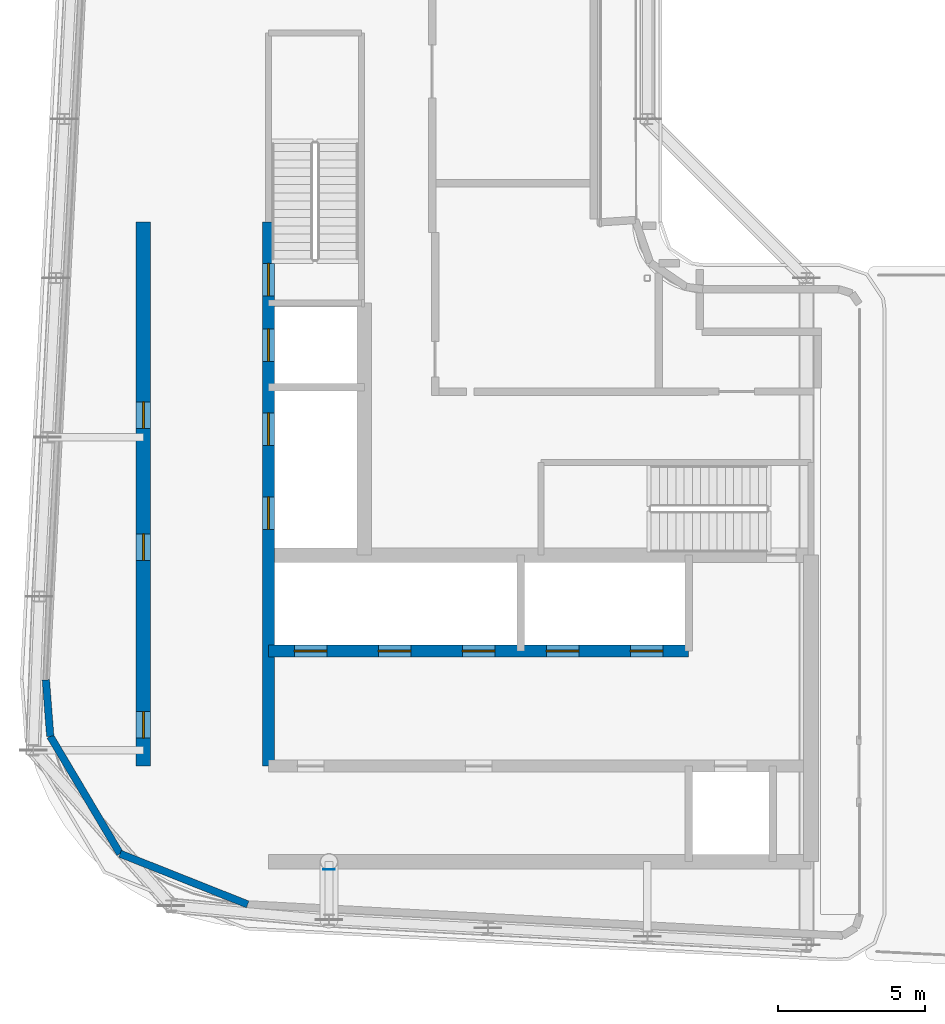
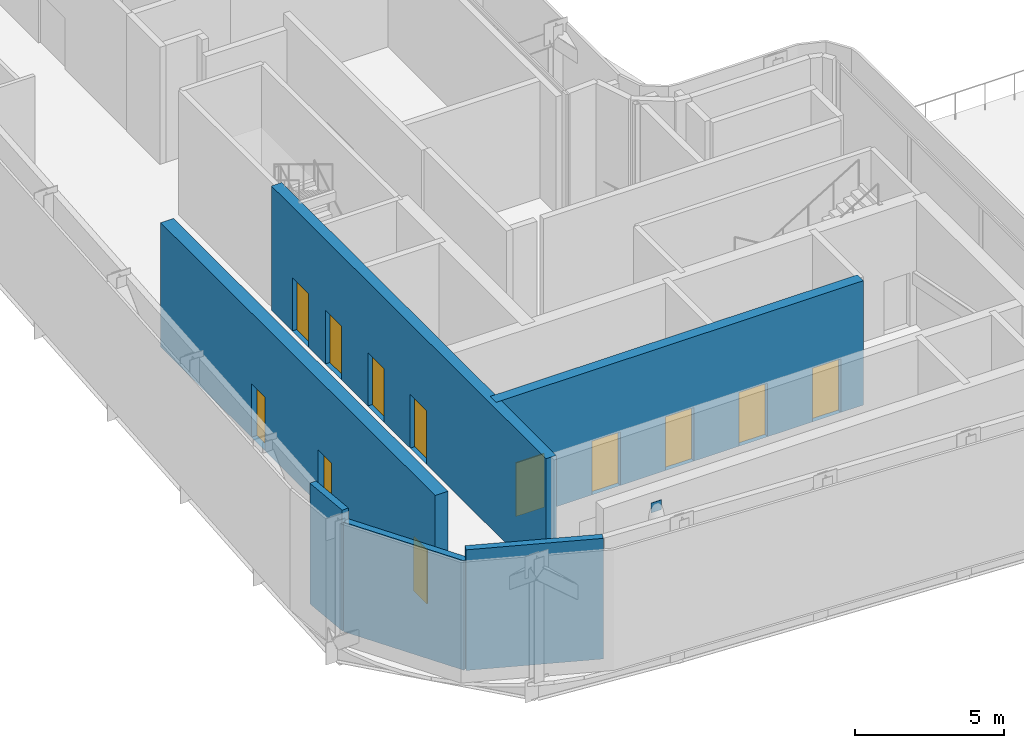
# One storey, part 10 of 18: 12 doors, 6 walls, 1 plate, 12 openings.
"""IFC4 building model written with IfcOpenShell, lengths in metres."""

import ifcopenshell
import ifcopenshell.guid

model = None  # the IFC model being written
_history = None  # IfcOwnerHistory: only IFC2X3 demands one
_inside = {}  # id of a spatial element -> (the spatial element, [elements in it])
_under = {}  # id of a project, library or spatial element -> (it, [spatial elements below it])
_declared = {}  # id of a project -> (the project, [libraries it declares])
_typed = {}  # id of a type object -> (the type object, [elements of that type])
_made_of = {}  # id of a material, layer set ... -> (it, [elements and type objects made of it])


def new_model(schema):
    """Start an empty IFC model of exactly this schema.

    Asked for "IFC4X3", IfcOpenShell would pick the latest addendum, in which some entities
    have other attributes; the version numbers below select the first issue.
    IFC2X3 requires an IfcOwnerHistory on every rooted entity: one is made here for all.
    """
    global model, _history
    if schema == "IFC4X3":
        model = ifcopenshell.file(schema_version=(4, 3, 0, 0))
    else:
        model = ifcopenshell.file(schema=schema)
    _inside.clear()
    _under.clear()
    _declared.clear()
    _typed.clear()
    _made_of.clear()
    _history = None
    if model.schema == "IFC2X3":
        org = make("IfcOrganization", Name="unknown")
        user = make(
            "IfcPersonAndOrganization",
            ThePerson=make("IfcPerson", FamilyName="unknown"),
            TheOrganization=org,
        )
        app = make(
            "IfcApplication",
            ApplicationDeveloper=org,
            Version="unknown",
            ApplicationFullName="unknown",
            ApplicationIdentifier="unknown",
        )
        _history = make(
            "IfcOwnerHistory",
            OwningUser=user,
            OwningApplication=app,
            ChangeAction="ADDED",
            CreationDate=0,
        )
    return model


def make(cls, **values):
    """One entity of the class cls with the attributes given. An attribute that is None is left unset."""
    return model.create_entity(
        cls, **{name: value for name, value in values.items() if value is not None}
    )


def rooted(cls, **values):
    """An entity with a GlobalId (a new one), such as an element, a storey or a relation."""
    return make(cls, GlobalId=ifcopenshell.guid.new(), OwnerHistory=_history, **values)


def si_unit(unit_type, name, prefix=None):
    """IfcSIUnit, for example si_unit("LENGTHUNIT", "METRE", prefix="MILLI")."""
    return make("IfcSIUnit", UnitType=unit_type, Prefix=prefix, Name=name)


def assignment(units):
    """IfcUnitAssignment: the units of a project."""
    return None if units is None else make("IfcUnitAssignment", Units=units)


def point(xyz):
    """IfcCartesianPoint."""
    return None if xyz is None else make("IfcCartesianPoint", Coordinates=xyz)


def direction(xyz):
    """IfcDirection."""
    return None if xyz is None else make("IfcDirection", DirectionRatios=xyz)


def frame(location, z_axis=None, x_axis=None):
    """IfcAxis2Placement3D, a coordinate frame: its origin and axes. An axis left out is left unset."""
    return make(
        "IfcAxis2Placement3D",
        Location=point(location),
        Axis=direction(z_axis),
        RefDirection=direction(x_axis),
    )


def frame_2d(location, x_axis=None):
    """IfcAxis2Placement2D, a coordinate frame in the plane: its origin and x axis."""
    return make(
        "IfcAxis2Placement2D", Location=point(location), RefDirection=direction(x_axis)
    )


def origin():
    """The frame at (0, 0, 0) with its axes left unset."""
    return frame((0.0, 0.0, 0.0))


def origin_2d():
    """The frame at (0, 0) in the plane with its x axis left unset."""
    return frame_2d((0.0, 0.0))


def place(relative_to, where):
    """IfcLocalPlacement: puts the frame where relative to a parent placement (None: the world)."""
    return make(
        "IfcLocalPlacement", PlacementRelTo=relative_to, RelativePlacement=where
    )


def context(
    kind, dimensions, precision=None, world=None, true_north=None, identifier=None
):
    """IfcGeometricRepresentationContext, for example the 3D "Model" context."""
    return make(
        "IfcGeometricRepresentationContext",
        ContextIdentifier=identifier,
        ContextType=kind,
        CoordinateSpaceDimension=dimensions,
        Precision=precision,
        WorldCoordinateSystem=world,
        TrueNorth=true_north,
    )


def subcontext(parent, identifier, kind, view, scale=None):
    """IfcGeometricRepresentationSubContext, for example "Body" below "Model"."""
    return make(
        "IfcGeometricRepresentationSubContext",
        ContextIdentifier=identifier,
        ContextType=kind,
        ParentContext=parent,
        TargetScale=scale,
        TargetView=view,
    )


def project(units=None, contexts=None):
    """IfcProject with its units and contexts."""
    return rooted(
        "IfcProject",
        Name="project",
        RepresentationContexts=contexts,
        UnitsInContext=assignment(units),
    )


def spatial(cls, under=None, at=None, **own):
    """A site, building, storey or space (cls), placed at a placement, below another one or the project."""
    s = rooted(cls, ObjectPlacement=at, **own)
    if under is not None:
        _under.setdefault(under.id(), (under, []))[1].append(s)
    return s


def profile(cls, at=None, kind="AREA", **sizes):
    """A parametric profile (cls). Its sizes go by their IFC names, for example OverallWidth=200.0."""
    return make(cls, ProfileType=kind, Position=at, **sizes)


def rectangle(**sizes):
    """IfcRectangleProfileDef."""
    return profile("IfcRectangleProfileDef", **sizes)


def extrude(swept, where, along, depth):
    """IfcExtrudedAreaSolid: the profile swept, set in the frame where, extruded along a direction by depth."""
    return make(
        "IfcExtrudedAreaSolid",
        SweptArea=swept,
        Position=where,
        ExtrudedDirection=direction(along),
        Depth=depth,
    )


def shape(context_of_items, identifier, shape_type, items):
    """IfcShapeRepresentation: the items that make up one representation, for example the "Body"."""
    return make(
        "IfcShapeRepresentation",
        ContextOfItems=context_of_items,
        RepresentationIdentifier=identifier,
        RepresentationType=shape_type,
        Items=items,
    )


def source(mapping_origin, context_of_items, identifier, shape_type, items):
    """IfcRepresentationMap: a shape defined once, which mapped items show again and again."""
    return make(
        "IfcRepresentationMap",
        MappingOrigin=mapping_origin,
        MappedRepresentation=shape(context_of_items, identifier, shape_type, items),
    )


def transform(
    local_origin,
    x_axis=None,
    y_axis=None,
    z_axis=None,
    scale=None,
    scale2=None,
    scale3=None,
    uniform=True,
):
    """IfcCartesianTransformationOperator3D, or its non-uniform kind. x_axis, y_axis, z_axis: its Axis1, 2, 3."""
    if uniform:
        return make(
            "IfcCartesianTransformationOperator3D",
            Axis1=direction(x_axis),
            Axis2=direction(y_axis),
            LocalOrigin=point(local_origin),
            Scale=scale,
            Axis3=direction(z_axis),
        )
    return make(
        "IfcCartesianTransformationOperator3DnonUniform",
        Axis1=direction(x_axis),
        Axis2=direction(y_axis),
        LocalOrigin=point(local_origin),
        Scale=scale,
        Axis3=direction(z_axis),
        Scale2=scale2,
        Scale3=scale3,
    )


def mapped(mapping_source, mapping_target):
    """IfcMappedItem: shows the shape of a source again, moved by a transform."""
    return make(
        "IfcMappedItem", MappingSource=mapping_source, MappingTarget=mapping_target
    )


def material(Name=None, Category=None):
    """IfcMaterial."""
    return make("IfcMaterial", Name=Name, Category=Category)


def layer(
    of_material, thickness, ventilated=None, Name=None, Category=None, Priority=None
):
    """IfcMaterialLayer: one layer of a wall or slab, of a material (None: an air gap)."""
    return make(
        "IfcMaterialLayer",
        Material=of_material,
        LayerThickness=thickness,
        IsVentilated=ventilated,
        Name=Name,
        Category=Category,
        Priority=Priority,
    )


def layer_set(layers, Name=None):
    """IfcMaterialLayerSet."""
    return make("IfcMaterialLayerSet", MaterialLayers=layers, LayerSetName=Name)


def made_of(thing, what):
    """Note that an element or type object is made of a material, layer set ...; save() writes the relation."""
    if what is not None:
        _made_of.setdefault(what.id(), (what, []))[1].append(thing)
    return thing


def type_object(cls, material=None, **own):
    """A type object (cls), such as IfcWallType, which elements share."""
    return made_of(rooted(cls, **own), material)


def element(
    cls,
    number,
    at=None,
    inside=None,
    cuts=None,
    type_object=None,
    material=None,
    context=None,
    identifier="Body",
    shape_type=None,
    held_by="IfcProductDefinitionShape",
    body=None,
    shapes=None,
    **own,
):
    """One element of the class cls, such as IfcWall. Its Tag is "e" and its number.

    at: its placement. inside: the storey or other place that contains it. cuts: it is an
    opening in that element (IfcRelVoidsElement). A single representation is given by context,
    identifier, shape_type and body (its items); several are given by shapes. held_by: the class
    of the entity that holds the representations. save() writes the other relations.
    """
    e = rooted(cls, Tag="e%d" % number, ObjectPlacement=at, **own)
    if body is not None:
        shapes = [shape(context, identifier, shape_type, body)]
    if shapes is not None:
        e.Representation = make(held_by, Representations=shapes)
    if inside is not None:
        _inside.setdefault(inside.id(), (inside, []))[1].append(e)
    if cuts is not None:
        rooted(
            "IfcRelVoidsElement", RelatingBuildingElement=cuts, RelatedOpeningElement=e
        )
    if type_object is not None:
        _typed.setdefault(type_object.id(), (type_object, []))[1].append(e)
    return made_of(e, material)


def fill(opening, filler):
    """IfcRelFillsElement: the door or window that sits in an opening."""
    return rooted(
        "IfcRelFillsElement",
        RelatingOpeningElement=opening,
        RelatedBuildingElement=filler,
    )


def aggregate(whole, parts):
    """IfcRelAggregates: a whole, such as a stair, and the parts it consists of."""
    return rooted("IfcRelAggregates", RelatingObject=whole, RelatedObjects=parts)


def save(model, path):
    """Write the relations noted so far, then the file.

    IfcRelAggregates (storeys below a building ...), IfcRelContainedInSpatialStructure (elements
    in a storey), IfcRelDefinesByType, IfcRelAssociatesMaterial and IfcRelDeclares: one each for
    every whole, place, type object, material and project.
    """
    for whole, parts in _under.values():
        aggregate(whole, parts)
    for where, things in _inside.values():
        rooted(
            "IfcRelContainedInSpatialStructure",
            RelatedElements=things,
            RelatingStructure=where,
        )
    for kind, things in _typed.values():
        rooted("IfcRelDefinesByType", RelatedObjects=things, RelatingType=kind)
    for what, things in _made_of.values():
        rooted("IfcRelAssociatesMaterial", RelatedObjects=things, RelatingMaterial=what)
    for by, libraries in _declared.values():
        rooted("IfcRelDeclares", RelatingContext=by, RelatedDefinitions=libraries)
    model.write(path)


model = new_model("IFC4")

# Units and contexts
model_context = context("Model", 3, precision=1e-05, world=origin(), true_north=direction((0.0, 1.0)))
body_context = subcontext(model_context, "Body", "Model", "MODEL_VIEW")
ifc_project = project(units=[si_unit("LENGTHUNIT", "METRE"), si_unit("AREAUNIT", "SQUARE_METRE"), si_unit("VOLUMEUNIT", "CUBIC_METRE"), si_unit("PLANEANGLEUNIT", "RADIAN"), si_unit("MASSUNIT", "GRAM", prefix="KILO")], contexts=[model_context])

# Site, building, storey
site_placement = place(None, origin())
site = spatial("IfcSite", under=ifc_project, at=site_placement, CompositionType="ELEMENT")
building_placement = place(site_placement, origin())
building = spatial("IfcBuilding", under=site, at=building_placement, Name="Kheshtan School and Residences Tower", CompositionType="ELEMENT")
storey_placement = place(building_placement, frame((0.0, 0.0, 333.199951171875)))
storey = spatial("IfcBuildingStorey", under=building, at=storey_placement, Name="L78", CompositionType="ELEMENT", Elevation=333.199951171875)

# Plate
ifc_material_1 = material(Name="Steel ASTM A992 Grade 50", Category="steel")
ifc_layer_1 = layer(ifc_material_1, 0.02001953125)
ifc_layer_set_1 = layer_set([ifc_layer_1], Name="Cast-in plate 20 ASTM A992 Grade 50")
plate_type = type_object("IfcPlateType", Name="Cast-in plate 20 ASTM A992 Grade 50", PredefinedType="SHEET", material=ifc_layer_set_1)
plate_placement = place(storey_placement, frame((36.800048828125, 25.5400390625, 4.293212890625), z_axis=(0.0, 0.0, 1.0), x_axis=(1.0, 0.0, 0.0)))
element("IfcPlate", 1, at=plate_placement, inside=storey, type_object=plate_type, Name="Cast-in plate", PredefinedType="SHEET", context=body_context, shape_type="SweptSolid", body=[
    extrude(rectangle(XDim=0.39990234375, YDim=0.02001953125, at=origin_2d()), origin(), (0.0, 0.0, 1.0), 0.39990234375),
])

# Wall, openings, doors
ifc_material_2 = material(Name="Concrete C50/60", Category="concrete")
ifc_layer_2 = layer(ifc_material_2, 0.39990234375)
ifc_layer_set_2 = layer_set([ifc_layer_2], Name="Core wall 400 Concrete C50/60")
wall_type_1 = type_object("IfcWallType", Name="Core wall 400 Concrete C50/60", PredefinedType="SHEAR", material=ifc_layer_set_2)
wall_1_placement = place(storey_placement, frame((34.75, 32.949951171875, 0.0), z_axis=(0.0, 0.0, 1.0), x_axis=(1.0, 0.0, 0.0)))
wall_1 = element("IfcWall", 2, at=wall_1_placement, inside=storey, type_object=wall_type_1, Name="Core wall CW-HALL-S2", PredefinedType="SHEAR", context=body_context, shape_type="SweptSolid", body=[
    extrude(rectangle(XDim=14.25, YDim=0.39990234375, at=frame_2d((7.125, 0.0))), origin(), (0.0, 0.0, 1.0), 5.10009765625),
])
opening_1_placement = place(wall_1_placement, frame((0.875, 0.0, 0.0)))
opening_1 = element("IfcOpeningElement", 3, at=opening_1_placement, cuts=wall_1, Name="Opening LD", PredefinedType="OPENING", context=body_context, shape_type="SweptSolid", body=[
    extrude(rectangle(XDim=1.10009765625, YDim=2.199951171875, at=frame_2d((0.550048828125, 1.10009765625))), frame((0.0, 0.2099609375, 0.0), z_axis=(0.0, -1.0, 0.0), x_axis=(1.0, 0.0, 0.0)), (0.0, 0.0, 1.0), 0.419921875),
])
opening_2_placement = place(wall_1_placement, frame((3.72509765625, 0.0, 0.0)))
opening_2 = element("IfcOpeningElement", 4, at=opening_2_placement, cuts=wall_1, Name="Opening LD", PredefinedType="OPENING", context=body_context, shape_type="SweptSolid", body=[
    extrude(rectangle(XDim=1.10009765625, YDim=2.199951171875, at=frame_2d((0.550048828125, 1.10009765625))), frame((0.0, 0.2099609375, 0.0), z_axis=(0.0, -1.0, 0.0), x_axis=(1.0, 0.0, 0.0)), (0.0, 0.0, 1.0), 0.419921875),
])
opening_3_placement = place(wall_1_placement, frame((6.574951171875, 0.0, 0.0)))
opening_3 = element("IfcOpeningElement", 5, at=opening_3_placement, cuts=wall_1, Name="Opening LD", PredefinedType="OPENING", context=body_context, shape_type="SweptSolid", body=[
    extrude(rectangle(XDim=1.10009765625, YDim=2.199951171875, at=frame_2d((0.550048828125, 1.10009765625))), frame((0.0, 0.2099609375, 0.0), z_axis=(0.0, -1.0, 0.0), x_axis=(1.0, 0.0, 0.0)), (0.0, 0.0, 1.0), 0.419921875),
])
opening_4_placement = place(wall_1_placement, frame((9.425048828125, 0.0, 0.0)))
opening_4 = element("IfcOpeningElement", 6, at=opening_4_placement, cuts=wall_1, Name="Opening LD", PredefinedType="OPENING", context=body_context, shape_type="SweptSolid", body=[
    extrude(rectangle(XDim=1.10009765625, YDim=2.199951171875, at=frame_2d((0.550048828125, 1.10009765625))), frame((0.0, 0.2099609375, 0.0), z_axis=(0.0, -1.0, 0.0), x_axis=(1.0, 0.0, 0.0)), (0.0, 0.0, 1.0), 0.419921875),
])
opening_5_placement = place(wall_1_placement, frame((12.27490234375, 0.0, 0.0)))
opening_5 = element("IfcOpeningElement", 7, at=opening_5_placement, cuts=wall_1, Name="Opening LD", PredefinedType="OPENING", context=body_context, shape_type="SweptSolid", body=[
    extrude(rectangle(XDim=1.10009765625, YDim=2.199951171875, at=frame_2d((0.550048828125, 1.10009765625))), frame((0.0, 0.2099609375, 0.0), z_axis=(0.0, -1.0, 0.0), x_axis=(1.0, 0.0, 0.0)), (0.0, 0.0, 1.0), 0.419921875),
])
ifc_material_3 = material(Name="Stainless steel door leaves", Category="steel")
door_type_1 = type_object("IfcDoorType", Name="Lift landing door 1100", OperationType="SLIDING_TO_LEFT", PredefinedType="DOOR", material=ifc_material_3)
shared_shape_1 = source(origin(), body_context, "Body", "SweptSolid", [
    extrude(rectangle(XDim=1.10009765625, YDim=2.199951171875, at=frame_2d((0.550048828125, 1.10009765625))), frame((0.0, 0.02490234375, 0.0), z_axis=(0.0, -1.0, 0.0), x_axis=(1.0, 0.0, 0.0)), (0.0, 0.0, 1.0), 0.050048828125),
])
door_1_placement = place(opening_1_placement, origin())
door_1 = element("IfcDoor", 8, at=door_1_placement, inside=storey, type_object=door_type_1, Name="Lift P12 landing door", OperationType="SLIDING_TO_LEFT", OverallHeight=2.199951171875, OverallWidth=1.10009765625, PredefinedType="DOOR", context=body_context, shape_type="MappedRepresentation", body=[
    mapped(shared_shape_1, transform((0.0, 0.0, 0.0), x_axis=(1.0, 0.0, 0.0), y_axis=(0.0, 1.0, 0.0), z_axis=(0.0, 0.0, 1.0), scale=1.0)),
])
fill(opening_1, door_1)
door_2_placement = place(opening_2_placement, origin())
door_2 = element("IfcDoor", 9, at=door_2_placement, inside=storey, type_object=door_type_1, Name="Lift P13 landing door", OperationType="SLIDING_TO_LEFT", OverallHeight=2.199951171875, OverallWidth=1.10009765625, PredefinedType="DOOR", context=body_context, shape_type="MappedRepresentation", body=[
    mapped(shared_shape_1, transform((0.0, 0.0, 0.0), x_axis=(1.0, 0.0, 0.0), y_axis=(0.0, 1.0, 0.0), z_axis=(0.0, 0.0, 1.0), scale=1.0)),
])
fill(opening_2, door_2)
door_3_placement = place(opening_3_placement, origin())
door_3 = element("IfcDoor", 10, at=door_3_placement, inside=storey, type_object=door_type_1, Name="Lift P14 landing door", OperationType="SLIDING_TO_LEFT", OverallHeight=2.199951171875, OverallWidth=1.10009765625, PredefinedType="DOOR", context=body_context, shape_type="MappedRepresentation", body=[
    mapped(shared_shape_1, transform((0.0, 0.0, 0.0), x_axis=(1.0, 0.0, 0.0), y_axis=(0.0, 1.0, 0.0), z_axis=(0.0, 0.0, 1.0), scale=1.0)),
])
fill(opening_3, door_3)
door_4_placement = place(opening_4_placement, origin())
door_4 = element("IfcDoor", 11, at=door_4_placement, inside=storey, type_object=door_type_1, Name="Lift P15 landing door", OperationType="SLIDING_TO_LEFT", OverallHeight=2.199951171875, OverallWidth=1.10009765625, PredefinedType="DOOR", context=body_context, shape_type="MappedRepresentation", body=[
    mapped(shared_shape_1, transform((0.0, 0.0, 0.0), x_axis=(1.0, 0.0, 0.0), y_axis=(0.0, 1.0, 0.0), z_axis=(0.0, 0.0, 1.0), scale=1.0)),
])
fill(opening_4, door_4)
door_5_placement = place(opening_5_placement, origin())
door_5 = element("IfcDoor", 12, at=door_5_placement, inside=storey, type_object=door_type_1, Name="Lift P16 landing door", OperationType="SLIDING_TO_LEFT", OverallHeight=2.199951171875, OverallWidth=1.10009765625, PredefinedType="DOOR", context=body_context, shape_type="MappedRepresentation", body=[
    mapped(shared_shape_1, transform((0.0, 0.0, 0.0), x_axis=(1.0, 0.0, 0.0), y_axis=(0.0, 1.0, 0.0), z_axis=(0.0, 0.0, 1.0), scale=1.0)),
])
fill(opening_5, door_5)

wall_2_placement = place(storey_placement, frame((34.75, 29.050048828125, 0.0), z_axis=(0.0, 0.0, 1.0), x_axis=(0.0, 1.0, 0.0)))
wall_2 = element("IfcWall", 13, at=wall_2_placement, inside=storey, type_object=wall_type_1, Name="Core wall CW-HALL-W1", PredefinedType="SHEAR", context=body_context, shape_type="SweptSolid", body=[
    extrude(rectangle(XDim=18.449951171875, YDim=0.39990234375, at=frame_2d((9.22509765625, 0.0))), origin(), (0.0, 0.0, 1.0), 5.10009765625),
])
opening_6_placement = place(wall_2_placement, frame((8.02490234375, 0.0, 0.0)))
opening_6 = element("IfcOpeningElement", 14, at=opening_6_placement, cuts=wall_2, Name="Opening LD", PredefinedType="OPENING", context=body_context, shape_type="SweptSolid", body=[
    extrude(rectangle(XDim=1.10009765625, YDim=2.199951171875, at=frame_2d((0.550048828125, 1.10009765625))), frame((0.0, 0.2099609375, 0.0), z_axis=(0.0, -1.0, 0.0), x_axis=(1.0, 0.0, 0.0)), (0.0, 0.0, 1.0), 0.419921875),
])
opening_7_placement = place(wall_2_placement, frame((10.875, 0.0, 0.0)))
opening_7 = element("IfcOpeningElement", 15, at=opening_7_placement, cuts=wall_2, Name="Opening LD", PredefinedType="OPENING", context=body_context, shape_type="SweptSolid", body=[
    extrude(rectangle(XDim=1.10009765625, YDim=2.199951171875, at=frame_2d((0.550048828125, 1.10009765625))), frame((0.0, 0.2099609375, 0.0), z_axis=(0.0, -1.0, 0.0), x_axis=(1.0, 0.0, 0.0)), (0.0, 0.0, 1.0), 0.419921875),
])
opening_8_placement = place(wall_2_placement, frame((13.72509765625, 0.0, 0.0)))
opening_8 = element("IfcOpeningElement", 16, at=opening_8_placement, cuts=wall_2, Name="Opening LD", PredefinedType="OPENING", context=body_context, shape_type="SweptSolid", body=[
    extrude(rectangle(XDim=1.10009765625, YDim=2.199951171875, at=frame_2d((0.550048828125, 1.10009765625))), frame((0.0, 0.2099609375, 0.0), z_axis=(0.0, -1.0, 0.0), x_axis=(1.0, 0.0, 0.0)), (0.0, 0.0, 1.0), 0.419921875),
])
opening_9_placement = place(wall_2_placement, frame((15.949951171875, 0.0, 0.0)))
opening_9 = element("IfcOpeningElement", 17, at=opening_9_placement, cuts=wall_2, Name="Opening ST2D", PredefinedType="OPENING", context=body_context, shape_type="SweptSolid", body=[
    extrude(rectangle(XDim=1.10009765625, YDim=2.199951171875, at=frame_2d((0.550048828125, 1.10009765625))), frame((0.0, 0.2099609375, 0.0), z_axis=(0.0, -1.0, 0.0), x_axis=(1.0, 0.0, 0.0)), (0.0, 0.0, 1.0), 0.419921875),
])
door_6_placement = place(opening_6_placement, origin())
door_6 = element("IfcDoor", 18, at=door_6_placement, inside=storey, type_object=door_type_1, Name="Lift SV1 landing door", OperationType="SLIDING_TO_LEFT", OverallHeight=2.199951171875, OverallWidth=1.10009765625, PredefinedType="DOOR", context=body_context, shape_type="MappedRepresentation", body=[
    mapped(shared_shape_1, transform((0.0, 0.0, 0.0), x_axis=(1.0, 0.0, 0.0), y_axis=(0.0, 1.0, 0.0), z_axis=(0.0, 0.0, 1.0), scale=1.0)),
])
fill(opening_6, door_6)
door_7_placement = place(opening_7_placement, origin())
door_7 = element("IfcDoor", 19, at=door_7_placement, inside=storey, type_object=door_type_1, Name="Lift SV2 landing door", OperationType="SLIDING_TO_LEFT", OverallHeight=2.199951171875, OverallWidth=1.10009765625, PredefinedType="DOOR", context=body_context, shape_type="MappedRepresentation", body=[
    mapped(shared_shape_1, transform((0.0, 0.0, 0.0), x_axis=(1.0, 0.0, 0.0), y_axis=(0.0, 1.0, 0.0), z_axis=(0.0, 0.0, 1.0), scale=1.0)),
])
fill(opening_7, door_7)
door_8_placement = place(opening_8_placement, origin())
door_8 = element("IfcDoor", 20, at=door_8_placement, inside=storey, type_object=door_type_1, Name="Lift FFL1 landing door", OperationType="SLIDING_TO_LEFT", OverallHeight=2.199951171875, OverallWidth=1.10009765625, PredefinedType="DOOR", context=body_context, shape_type="MappedRepresentation", body=[
    mapped(shared_shape_1, transform((0.0, 0.0, 0.0), x_axis=(1.0, 0.0, 0.0), y_axis=(0.0, 1.0, 0.0), z_axis=(0.0, 0.0, 1.0), scale=1.0)),
])
fill(opening_8, door_8)
ifc_material_4 = material(Name="Steel door leaf, galvanised", Category="steel")
door_type_2 = type_object("IfcDoorType", Name="Stair door 1100 steel 90 min", OperationType="SINGLE_SWING_LEFT", PredefinedType="DOOR", material=ifc_material_4)
shared_shape_2 = source(origin(), body_context, "Body", "SweptSolid", [
    extrude(rectangle(XDim=1.10009765625, YDim=2.199951171875, at=frame_2d((0.550048828125, 1.10009765625))), frame((0.0, 0.02490234375, 0.0), z_axis=(0.0, -1.0, 0.0), x_axis=(1.0, 0.0, 0.0)), (0.0, 0.0, 1.0), 0.050048828125),
])
door_9_placement = place(opening_9_placement, origin())
door_9 = element("IfcDoor", 21, at=door_9_placement, inside=storey, type_object=door_type_2, Name="Stair ST2 door", OperationType="SINGLE_SWING_RIGHT", OverallHeight=2.199951171875, OverallWidth=1.10009765625, PredefinedType="DOOR", context=body_context, shape_type="MappedRepresentation", body=[
    mapped(shared_shape_2, transform((0.0, 0.0, 0.0), x_axis=(1.0, 0.0, 0.0), y_axis=(0.0, 1.0, 0.0), z_axis=(0.0, 0.0, 1.0), scale=1.0)),
])
fill(opening_9, door_9)

ifc_layer_3 = layer(ifc_material_2, 0.5)
ifc_layer_set_3 = layer_set([ifc_layer_3], Name="Core wall 500 Concrete C50/60")
wall_type_2 = type_object("IfcWallType", Name="Core wall 500 Concrete C50/60", PredefinedType="SHEAR", material=ifc_layer_set_3)
wall_3_placement = place(storey_placement, frame((30.5, 29.050048828125, 0.0), z_axis=(0.0, 0.0, 1.0), x_axis=(0.0, 1.0, 0.0)))
wall_3 = element("IfcWall", 22, at=wall_3_placement, inside=storey, type_object=wall_type_2, Name="Core wall CW-REAR-W", PredefinedType="SHEAR", context=body_context, shape_type="SweptSolid", body=[
    extrude(rectangle(XDim=18.449951171875, YDim=0.5, at=frame_2d((9.22509765625, 0.0))), origin(), (0.0, 0.0, 1.0), 5.10009765625),
])
opening_10_placement = place(wall_3_placement, frame((0.944091796875, 0.0, 0.0)))
opening_10 = element("IfcOpeningElement", 23, at=opening_10_placement, cuts=wall_3, Name="Opening SR90", PredefinedType="OPENING", context=body_context, shape_type="SweptSolid", body=[
    extrude(rectangle(XDim=0.89990234375, YDim=2.199951171875, at=frame_2d((0.449951171875, 1.10009765625))), frame((0.0, 0.260009765625, 0.0), z_axis=(0.0, -1.0, 0.0), x_axis=(1.0, 0.0, 0.0)), (0.0, 0.0, 1.0), 0.52001953125),
])
opening_11_placement = place(wall_3_placement, frame((6.97509765625, 0.0, 0.0)))
opening_11 = element("IfcOpeningElement", 24, at=opening_11_placement, cuts=wall_3, Name="Opening SR90", PredefinedType="OPENING", context=body_context, shape_type="SweptSolid", body=[
    extrude(rectangle(XDim=0.89990234375, YDim=2.199951171875, at=frame_2d((0.449951171875, 1.10009765625))), frame((0.0, 0.260009765625, 0.0), z_axis=(0.0, -1.0, 0.0), x_axis=(1.0, 0.0, 0.0)), (0.0, 0.0, 1.0), 0.52001953125),
])
opening_12_placement = place(wall_3_placement, frame((11.449951171875, 0.0, 0.0)))
opening_12 = element("IfcOpeningElement", 25, at=opening_12_placement, cuts=wall_3, Name="Opening SR90", PredefinedType="OPENING", context=body_context, shape_type="SweptSolid", body=[
    extrude(rectangle(XDim=0.89990234375, YDim=2.199951171875, at=frame_2d((0.449951171875, 1.10009765625))), frame((0.0, 0.260009765625, 0.0), z_axis=(0.0, -1.0, 0.0), x_axis=(1.0, 0.0, 0.0)), (0.0, 0.0, 1.0), 0.52001953125),
])
door_type_3 = type_object("IfcDoorType", Name="Service room door 900 steel 90 min", OperationType="SINGLE_SWING_LEFT", PredefinedType="DOOR", material=ifc_material_4)
shared_shape_3 = source(origin(), body_context, "Body", "SweptSolid", [
    extrude(rectangle(XDim=0.89990234375, YDim=2.199951171875, at=frame_2d((0.449951171875, 1.10009765625))), frame((0.0, 0.02490234375, 0.0), z_axis=(0.0, -1.0, 0.0), x_axis=(1.0, 0.0, 0.0)), (0.0, 0.0, 1.0), 0.050048828125),
])
door_10_placement = place(opening_10_placement, origin())
door_10 = element("IfcDoor", 26, at=door_10_placement, inside=storey, type_object=door_type_3, Name="Service room door", OperationType="SINGLE_SWING_LEFT", OverallHeight=2.199951171875, OverallWidth=0.89990234375, PredefinedType="DOOR", context=body_context, shape_type="MappedRepresentation", body=[
    mapped(shared_shape_3, transform((0.0, 0.0, 0.0), x_axis=(1.0, 0.0, 0.0), y_axis=(0.0, 1.0, 0.0), z_axis=(0.0, 0.0, 1.0), scale=1.0)),
])
fill(opening_10, door_10)
door_11_placement = place(opening_11_placement, origin())
door_11 = element("IfcDoor", 27, at=door_11_placement, inside=storey, type_object=door_type_3, Name="Service room door", OperationType="SINGLE_SWING_RIGHT", OverallHeight=2.199951171875, OverallWidth=0.89990234375, PredefinedType="DOOR", context=body_context, shape_type="MappedRepresentation", body=[
    mapped(shared_shape_3, transform((0.0, 0.0, 0.0), x_axis=(1.0, 0.0, 0.0), y_axis=(0.0, 1.0, 0.0), z_axis=(0.0, 0.0, 1.0), scale=1.0)),
])
fill(opening_11, door_11)
door_12_placement = place(opening_12_placement, origin())
door_12 = element("IfcDoor", 28, at=door_12_placement, inside=storey, type_object=door_type_3, Name="Service room door", OperationType="SINGLE_SWING_RIGHT", OverallHeight=2.199951171875, OverallWidth=0.89990234375, PredefinedType="DOOR", context=body_context, shape_type="MappedRepresentation", body=[
    mapped(shared_shape_3, transform((0.0, 0.0, 0.0), x_axis=(1.0, 0.0, 0.0), y_axis=(0.0, 1.0, 0.0), z_axis=(0.0, 0.0, 1.0), scale=1.0)),
])
fill(opening_12, door_12)

# Walls
ifc_material_5 = material(Name="Concrete C40/50 with ceramic cladding and mineral wool insulation", Category="concrete")
ifc_layer_4 = layer(ifc_material_5, 0.25)
ifc_layer_set_4 = layer_set([ifc_layer_4], Name="External wall 250 ceramic clad")
wall_type_3 = type_object("IfcWallType", Name="External wall 250 ceramic clad", PredefinedType="SOLIDWALL", material=ifc_layer_set_4)
wall_4_placement = place(storey_placement, frame((34.0390625, 24.35302734375, 0.0), z_axis=(0.0, 0.0, 1.0), x_axis=(-0.929352825399, 0.369192803184, 0.0)))
element("IfcWall", 29, at=wall_4_placement, inside=storey, type_object=wall_type_3, Name="External wall L78 7", PredefinedType="SOLIDWALL", context=body_context, shape_type="SweptSolid", body=[
    extrude(rectangle(XDim=4.656005859375, YDim=0.25, at=frame_2d((2.328125, 0.0))), origin(), (0.0, 0.0, 1.0), 4.949951171875),
])
wall_5_placement = place(storey_placement, frame((29.7119140625, 26.072021484375, 0.0), z_axis=(0.0, 0.0, 1.0), x_axis=(-0.511028049012, 0.859564036662, 0.0)))
element("IfcWall", 30, at=wall_5_placement, inside=storey, type_object=wall_type_3, Name="External wall L78 8", PredefinedType="SOLIDWALL", context=body_context, shape_type="SweptSolid", body=[
    extrude(rectangle(XDim=4.633544921875, YDim=0.25, at=frame_2d((2.31689453125, 0.0))), origin(), (0.0, 0.0, 1.0), 4.4931640625),
])
wall_6_placement = place(storey_placement, frame((27.343994140625, 30.054931640625, 0.0), z_axis=(0.0, 0.0, 1.0), x_axis=(-0.077571675317, 0.99698677784, 0.0)))
element("IfcWall", 31, at=wall_6_placement, inside=storey, type_object=wall_type_3, Name="External wall L78 9", PredefinedType="SOLIDWALL", context=body_context, shape_type="SweptSolid", body=[
    extrude(rectangle(XDim=1.919921875, YDim=0.25, at=frame_2d((0.9599609375, 0.0))), origin(), (0.0, 0.0, 1.0), 4.949951171875),
])

save(model, "model.ifc")
